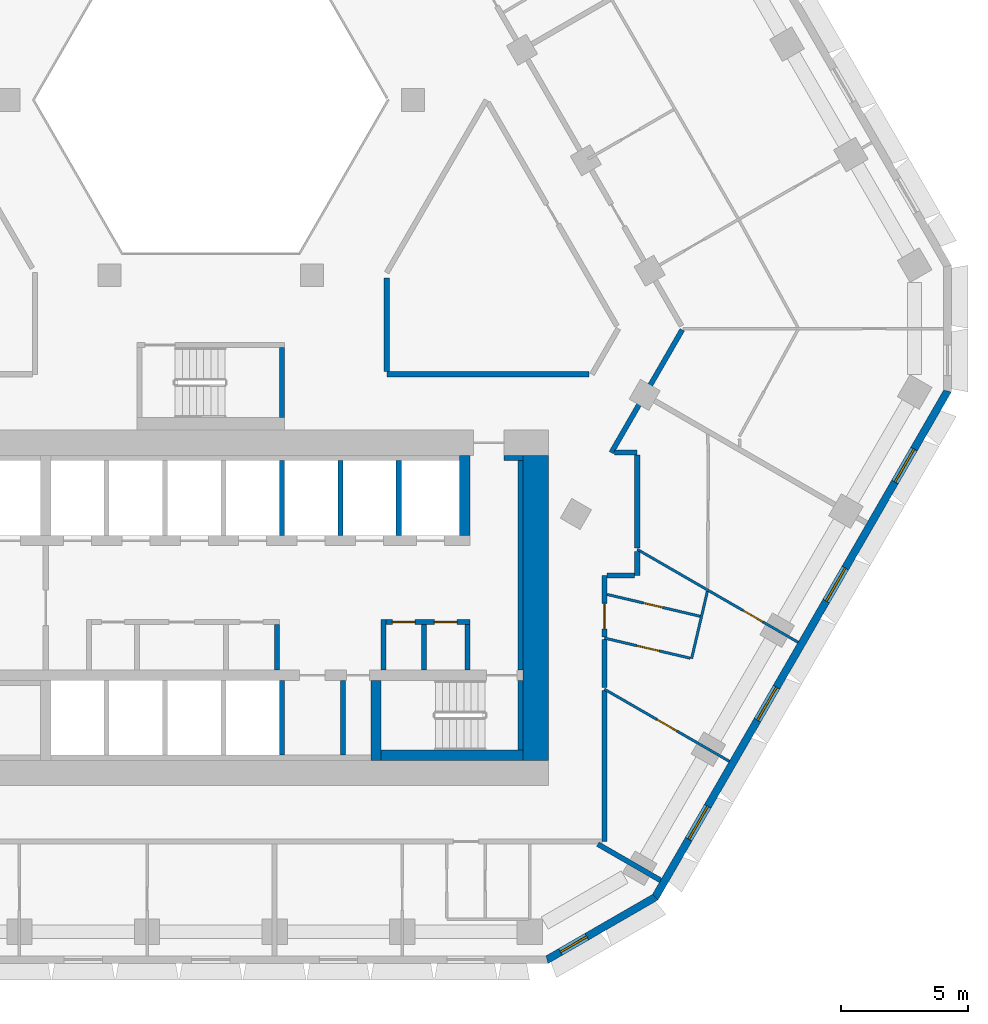
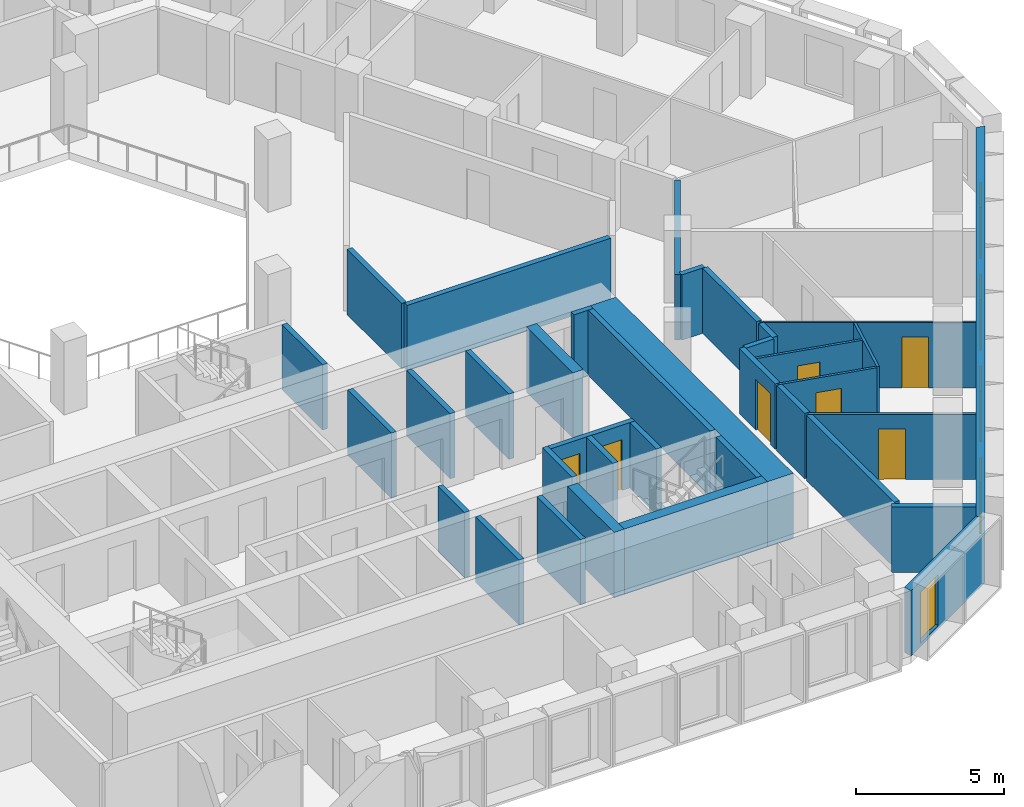
# One storey, part 6 of 16: 36 walls, 7 doors, 5 windows, 12 openings.
"""IFC4 building model written with IfcOpenShell, lengths in metres."""

import ifcopenshell
import ifcopenshell.guid

model = None  # the IFC model being written
_history = None  # IfcOwnerHistory: only IFC2X3 demands one
_inside = {}  # id of a spatial element -> (the spatial element, [elements in it])
_under = {}  # id of a project, library or spatial element -> (it, [spatial elements below it])
_declared = {}  # id of a project -> (the project, [libraries it declares])
_typed = {}  # id of a type object -> (the type object, [elements of that type])
_made_of = {}  # id of a material, layer set ... -> (it, [elements and type objects made of it])


def new_model(schema):
    """Start an empty IFC model of exactly this schema.

    Asked for "IFC4X3", IfcOpenShell would pick the latest addendum, in which some entities
    have other attributes; the version numbers below select the first issue.
    IFC2X3 requires an IfcOwnerHistory on every rooted entity: one is made here for all.
    """
    global model, _history
    if schema == "IFC4X3":
        model = ifcopenshell.file(schema_version=(4, 3, 0, 0))
    else:
        model = ifcopenshell.file(schema=schema)
    _inside.clear()
    _under.clear()
    _declared.clear()
    _typed.clear()
    _made_of.clear()
    _history = None
    if model.schema == "IFC2X3":
        org = make("IfcOrganization", Name="unknown")
        user = make(
            "IfcPersonAndOrganization",
            ThePerson=make("IfcPerson", FamilyName="unknown"),
            TheOrganization=org,
        )
        app = make(
            "IfcApplication",
            ApplicationDeveloper=org,
            Version="unknown",
            ApplicationFullName="unknown",
            ApplicationIdentifier="unknown",
        )
        _history = make(
            "IfcOwnerHistory",
            OwningUser=user,
            OwningApplication=app,
            ChangeAction="ADDED",
            CreationDate=0,
        )
    return model


def make(cls, **values):
    """One entity of the class cls with the attributes given. An attribute that is None is left unset."""
    return model.create_entity(
        cls, **{name: value for name, value in values.items() if value is not None}
    )


def rooted(cls, **values):
    """An entity with a GlobalId (a new one), such as an element, a storey or a relation."""
    return make(cls, GlobalId=ifcopenshell.guid.new(), OwnerHistory=_history, **values)


def si_unit(unit_type, name, prefix=None):
    """IfcSIUnit, for example si_unit("LENGTHUNIT", "METRE", prefix="MILLI")."""
    return make("IfcSIUnit", UnitType=unit_type, Prefix=prefix, Name=name)


def assignment(units):
    """IfcUnitAssignment: the units of a project."""
    return None if units is None else make("IfcUnitAssignment", Units=units)


def point(xyz):
    """IfcCartesianPoint."""
    return None if xyz is None else make("IfcCartesianPoint", Coordinates=xyz)


def direction(xyz):
    """IfcDirection."""
    return None if xyz is None else make("IfcDirection", DirectionRatios=xyz)


def frame(location, z_axis=None, x_axis=None):
    """IfcAxis2Placement3D, a coordinate frame: its origin and axes. An axis left out is left unset."""
    return make(
        "IfcAxis2Placement3D",
        Location=point(location),
        Axis=direction(z_axis),
        RefDirection=direction(x_axis),
    )


def frame_2d(location, x_axis=None):
    """IfcAxis2Placement2D, a coordinate frame in the plane: its origin and x axis."""
    return make(
        "IfcAxis2Placement2D", Location=point(location), RefDirection=direction(x_axis)
    )


def origin():
    """The frame at (0, 0, 0) with its axes left unset."""
    return frame((0.0, 0.0, 0.0))


def place(relative_to, where):
    """IfcLocalPlacement: puts the frame where relative to a parent placement (None: the world)."""
    return make(
        "IfcLocalPlacement", PlacementRelTo=relative_to, RelativePlacement=where
    )


def context(
    kind, dimensions, precision=None, world=None, true_north=None, identifier=None
):
    """IfcGeometricRepresentationContext, for example the 3D "Model" context."""
    return make(
        "IfcGeometricRepresentationContext",
        ContextIdentifier=identifier,
        ContextType=kind,
        CoordinateSpaceDimension=dimensions,
        Precision=precision,
        WorldCoordinateSystem=world,
        TrueNorth=true_north,
    )


def subcontext(parent, identifier, kind, view, scale=None):
    """IfcGeometricRepresentationSubContext, for example "Body" below "Model"."""
    return make(
        "IfcGeometricRepresentationSubContext",
        ContextIdentifier=identifier,
        ContextType=kind,
        ParentContext=parent,
        TargetScale=scale,
        TargetView=view,
    )


def project(units=None, contexts=None):
    """IfcProject with its units and contexts."""
    return rooted(
        "IfcProject",
        Name="project",
        RepresentationContexts=contexts,
        UnitsInContext=assignment(units),
    )


def spatial(cls, under=None, at=None, **own):
    """A site, building, storey or space (cls), placed at a placement, below another one or the project."""
    s = rooted(cls, ObjectPlacement=at, **own)
    if under is not None:
        _under.setdefault(under.id(), (under, []))[1].append(s)
    return s


def polyline(points):
    """IfcPolyline through the points."""
    return make("IfcPolyline", Points=[point(p) for p in points])


def profile(cls, at=None, kind="AREA", **sizes):
    """A parametric profile (cls). Its sizes go by their IFC names, for example OverallWidth=200.0."""
    return make(cls, ProfileType=kind, Position=at, **sizes)


def rectangle(**sizes):
    """IfcRectangleProfileDef."""
    return profile("IfcRectangleProfileDef", **sizes)


def outline(outer, holes=None, kind="AREA"):
    """IfcArbitraryClosedProfileDef: a profile drawn as a closed curve; with holes, ...WithVoids."""
    if holes is None:
        return make("IfcArbitraryClosedProfileDef", ProfileType=kind, OuterCurve=outer)
    return make(
        "IfcArbitraryProfileDefWithVoids",
        ProfileType=kind,
        OuterCurve=outer,
        InnerCurves=holes,
    )


def extrude(swept, where, along, depth):
    """IfcExtrudedAreaSolid: the profile swept, set in the frame where, extruded along a direction by depth."""
    return make(
        "IfcExtrudedAreaSolid",
        SweptArea=swept,
        Position=where,
        ExtrudedDirection=direction(along),
        Depth=depth,
    )


def shape(context_of_items, identifier, shape_type, items):
    """IfcShapeRepresentation: the items that make up one representation, for example the "Body"."""
    return make(
        "IfcShapeRepresentation",
        ContextOfItems=context_of_items,
        RepresentationIdentifier=identifier,
        RepresentationType=shape_type,
        Items=items,
    )


def material(Name=None, Category=None):
    """IfcMaterial."""
    return make("IfcMaterial", Name=Name, Category=Category)


def layer(
    of_material, thickness, ventilated=None, Name=None, Category=None, Priority=None
):
    """IfcMaterialLayer: one layer of a wall or slab, of a material (None: an air gap)."""
    return make(
        "IfcMaterialLayer",
        Material=of_material,
        LayerThickness=thickness,
        IsVentilated=ventilated,
        Name=Name,
        Category=Category,
        Priority=Priority,
    )


def layer_set(layers, Name=None):
    """IfcMaterialLayerSet."""
    return make("IfcMaterialLayerSet", MaterialLayers=layers, LayerSetName=Name)


def made_of(thing, what):
    """Note that an element or type object is made of a material, layer set ...; save() writes the relation."""
    if what is not None:
        _made_of.setdefault(what.id(), (what, []))[1].append(thing)
    return thing


def type_object(cls, material=None, **own):
    """A type object (cls), such as IfcWallType, which elements share."""
    return made_of(rooted(cls, **own), material)


def element(
    cls,
    number,
    at=None,
    inside=None,
    cuts=None,
    type_object=None,
    material=None,
    context=None,
    identifier="Body",
    shape_type=None,
    held_by="IfcProductDefinitionShape",
    body=None,
    shapes=None,
    **own,
):
    """One element of the class cls, such as IfcWall. Its Tag is "e" and its number.

    at: its placement. inside: the storey or other place that contains it. cuts: it is an
    opening in that element (IfcRelVoidsElement). A single representation is given by context,
    identifier, shape_type and body (its items); several are given by shapes. held_by: the class
    of the entity that holds the representations. save() writes the other relations.
    """
    e = rooted(cls, Tag="e%d" % number, ObjectPlacement=at, **own)
    if body is not None:
        shapes = [shape(context, identifier, shape_type, body)]
    if shapes is not None:
        e.Representation = make(held_by, Representations=shapes)
    if inside is not None:
        _inside.setdefault(inside.id(), (inside, []))[1].append(e)
    if cuts is not None:
        rooted(
            "IfcRelVoidsElement", RelatingBuildingElement=cuts, RelatedOpeningElement=e
        )
    if type_object is not None:
        _typed.setdefault(type_object.id(), (type_object, []))[1].append(e)
    return made_of(e, material)


def fill(opening, filler):
    """IfcRelFillsElement: the door or window that sits in an opening."""
    return rooted(
        "IfcRelFillsElement",
        RelatingOpeningElement=opening,
        RelatedBuildingElement=filler,
    )


def aggregate(whole, parts):
    """IfcRelAggregates: a whole, such as a stair, and the parts it consists of."""
    return rooted("IfcRelAggregates", RelatingObject=whole, RelatedObjects=parts)


def save(model, path):
    """Write the relations noted so far, then the file.

    IfcRelAggregates (storeys below a building ...), IfcRelContainedInSpatialStructure (elements
    in a storey), IfcRelDefinesByType, IfcRelAssociatesMaterial and IfcRelDeclares: one each for
    every whole, place, type object, material and project.
    """
    for whole, parts in _under.values():
        aggregate(whole, parts)
    for where, things in _inside.values():
        rooted(
            "IfcRelContainedInSpatialStructure",
            RelatedElements=things,
            RelatingStructure=where,
        )
    for kind, things in _typed.values():
        rooted("IfcRelDefinesByType", RelatedObjects=things, RelatingType=kind)
    for what, things in _made_of.values():
        rooted("IfcRelAssociatesMaterial", RelatedObjects=things, RelatingMaterial=what)
    for by, libraries in _declared.values():
        rooted("IfcRelDeclares", RelatingContext=by, RelatedDefinitions=libraries)
    model.write(path)


model = new_model("IFC4")

# Units and contexts
model_context = context("Model", 3, precision=1e-05, world=origin(), true_north=direction((0.0, 1.0)))
body_context = subcontext(model_context, "Body", "Model", "MODEL_VIEW")
ifc_project = project(units=[si_unit("LENGTHUNIT", "METRE"), si_unit("AREAUNIT", "SQUARE_METRE"), si_unit("VOLUMEUNIT", "CUBIC_METRE"), si_unit("PLANEANGLEUNIT", "RADIAN"), si_unit("MASSUNIT", "GRAM", prefix="KILO")], contexts=[model_context])

# Site, building, storey
site_placement = place(None, origin())
site = spatial("IfcSite", under=ifc_project, at=site_placement, CompositionType="ELEMENT")
building_placement = place(site_placement, origin())
building = spatial("IfcBuilding", under=site, at=building_placement, Name="Beryl Residences", CompositionType="ELEMENT")
storey_placement = place(building_placement, frame((0.0, 0.0, 90.0)))
storey = spatial("IfcBuildingStorey", under=building, at=storey_placement, Name="L27", CompositionType="ELEMENT", Elevation=90.0)

# Wall, opening, window
ifc_material_1 = material(Name="Composite metal panel with mineral wool insulation")
ifc_layer_1 = layer(ifc_material_1, 0.300048828125)
ifc_layer_set_1 = layer_set([ifc_layer_1], Name="ES1 pale metal composite panel wall 300 mm")
wall_type_1 = type_object("IfcWallType", Name="ES1 pale metal composite panel wall 300 mm", PredefinedType="SOLIDWALL", material=ifc_layer_set_1)
wall_1_placement = place(storey_placement, frame((13.2041015625, -25.8701171875, 0.0), z_axis=(0.0, 0.0, 1.0), x_axis=(0.866010750942, 0.50002537861, 0.0)))
wall_1 = element("IfcWall", 1, at=wall_1_placement, inside=storey, type_object=wall_type_1, Name="ES1 external wall L27 S-SE", PredefinedType="SOLIDWALL", context=body_context, shape_type="SweptSolid", body=[
    extrude(outline(polyline([(0.0, -0.14990234375), (4.999755859375, -0.14990234375), (4.91943359375, 0.14990234375), (0.080322265625, 0.14990234375), (0.0, -0.14990234375)])), origin(), (0.0, 0.0, 1.0), 2.699951171875),
])
opening_1_placement = place(wall_1_placement, frame((0.64990234375, 0.0, 0.14990234375)))
opening_1 = element("IfcOpeningElement", 2, at=opening_1_placement, cuts=wall_1, Name="Opening W2", PredefinedType="OPENING", context=body_context, shape_type="SweptSolid", body=[
    extrude(rectangle(XDim=1.199951171875, YDim=2.10009765625, at=frame_2d((0.60009765625, 1.050048828125))), frame((0.0, 0.159912109375, 0.0), z_axis=(0.0, -1.0, 0.0), x_axis=(1.0, 0.0, 0.0)), (0.0, 0.0, 1.0), 0.320068359375),
])
ifc_material_2 = material(Name="Aluminium and clear glass", Category="aluminium")
window_type_1 = type_object("IfcWindowType", Name="W2 chamfer window 1200 x 2100 mm", PartitioningType="SINGLE_PANEL", PredefinedType="WINDOW", material=ifc_material_2)
window_1_placement = place(opening_1_placement, origin())
window_1 = element("IfcWindow", 3, at=window_1_placement, inside=storey, type_object=window_type_1, Name="W2 window L27 S-SE 1", OverallHeight=2.10009765625, OverallWidth=1.199951171875, PartitioningType="SINGLE_PANEL", PredefinedType="WINDOW", context=body_context, shape_type="SweptSolid", body=[
    extrude(rectangle(XDim=1.199951171875, YDim=2.10009765625, at=frame_2d((0.60009765625, 1.050048828125))), frame((0.0, 0.030029296875, 0.0), z_axis=(0.0, -1.0, 0.0), x_axis=(1.0, 0.0, 0.0)), (0.0, 0.0, 1.0), 0.06005859375),
])
fill(opening_1, window_1)

# Wall, openings, windows
wall_2_placement = place(storey_placement, frame((17.47900390625, -23.425048828125, 0.0), z_axis=(0.0, 0.0, 1.0), x_axis=(0.500035407905, 0.866004960056, 0.0)))
wall_2 = element("IfcWall", 4, at=wall_2_placement, inside=storey, type_object=wall_type_1, Name="ES1 external wall L27 SE", PredefinedType="SOLIDWALL", context=body_context, shape_type="SweptSolid", body=[
    extrude(outline(polyline([(0.0, -0.14990234375), (23.094482421875, -0.14990234375), (23.01416015625, 0.14990234375), (0.080322265625, 0.14990234375), (0.0, -0.14990234375)])), origin(), (0.0, 0.0, 1.0), 2.699951171875),
])
opening_2_placement = place(wall_2_placement, frame((2.677001953125, 0.0, 0.14990234375)))
opening_2 = element("IfcOpeningElement", 5, at=opening_2_placement, cuts=wall_2, Name="Opening W1", PredefinedType="OPENING", context=body_context, shape_type="SweptSolid", body=[
    extrude(rectangle(XDim=1.5, YDim=2.10009765625, at=frame_2d((0.75, 1.050048828125))), frame((0.0, 0.159912109375, 0.0), z_axis=(0.0, -1.0, 0.0), x_axis=(1.0, 0.0, 0.0)), (0.0, 0.0, 1.0), 0.320068359375),
])
opening_3_placement = place(wall_2_placement, frame((8.091064453125, 0.0, 0.14990234375)))
opening_3 = element("IfcOpeningElement", 6, at=opening_3_placement, cuts=wall_2, Name="Opening W1", PredefinedType="OPENING", context=body_context, shape_type="SweptSolid", body=[
    extrude(rectangle(XDim=1.5, YDim=2.10009765625, at=frame_2d((0.75, 1.050048828125))), frame((0.0, 0.159912109375, 0.0), z_axis=(0.0, -1.0, 0.0), x_axis=(1.0, 0.0, 0.0)), (0.0, 0.0, 1.0), 0.320068359375),
])
opening_4_placement = place(wall_2_placement, frame((13.50390625, 0.0, 0.14990234375)))
opening_4 = element("IfcOpeningElement", 7, at=opening_4_placement, cuts=wall_2, Name="Opening W1", PredefinedType="OPENING", context=body_context, shape_type="SweptSolid", body=[
    extrude(rectangle(XDim=1.5, YDim=2.10009765625, at=frame_2d((0.75, 1.050048828125))), frame((0.0, 0.159912109375, 0.0), z_axis=(0.0, -1.0, 0.0), x_axis=(1.0, 0.0, 0.0)), (0.0, 0.0, 1.0), 0.320068359375),
])
opening_5_placement = place(wall_2_placement, frame((18.9169921875, 0.0, 0.14990234375)))
opening_5 = element("IfcOpeningElement", 8, at=opening_5_placement, cuts=wall_2, Name="Opening W1", PredefinedType="OPENING", context=body_context, shape_type="SweptSolid", body=[
    extrude(rectangle(XDim=1.5, YDim=2.10009765625, at=frame_2d((0.75, 1.050048828125))), frame((0.0, 0.159912109375, 0.0), z_axis=(0.0, -1.0, 0.0), x_axis=(1.0, 0.0, 0.0)), (0.0, 0.0, 1.0), 0.320068359375),
])
ifc_material_3 = material(Name="Aluminium and clear glass", Category="aluminium")
window_type_2 = type_object("IfcWindowType", Name="W1 cell window 1500 x 2100 mm", PartitioningType="SINGLE_PANEL", PredefinedType="WINDOW", material=ifc_material_3)
window_2_placement = place(opening_2_placement, origin())
window_2 = element("IfcWindow", 9, at=window_2_placement, inside=storey, type_object=window_type_2, Name="W1 window L27 SE 2", OverallHeight=2.10009765625, OverallWidth=1.5, PartitioningType="SINGLE_PANEL", PredefinedType="WINDOW", context=body_context, shape_type="SweptSolid", body=[
    extrude(rectangle(XDim=1.5, YDim=2.10009765625, at=frame_2d((0.75, 1.050048828125))), frame((0.0, 0.030029296875, 0.0), z_axis=(0.0, -1.0, 0.0), x_axis=(1.0, 0.0, 0.0)), (0.0, 0.0, 1.0), 0.06005859375),
])
fill(opening_2, window_2)
window_3_placement = place(opening_3_placement, origin())
window_3 = element("IfcWindow", 10, at=window_3_placement, inside=storey, type_object=window_type_2, Name="W1 window L27 SE 4", OverallHeight=2.10009765625, OverallWidth=1.5, PartitioningType="SINGLE_PANEL", PredefinedType="WINDOW", context=body_context, shape_type="SweptSolid", body=[
    extrude(rectangle(XDim=1.5, YDim=2.10009765625, at=frame_2d((0.75, 1.050048828125))), frame((0.0, 0.030029296875, 0.0), z_axis=(0.0, -1.0, 0.0), x_axis=(1.0, 0.0, 0.0)), (0.0, 0.0, 1.0), 0.06005859375),
])
fill(opening_3, window_3)
window_4_placement = place(opening_4_placement, origin())
window_4 = element("IfcWindow", 11, at=window_4_placement, inside=storey, type_object=window_type_2, Name="W1 window L27 SE 6", OverallHeight=2.10009765625, OverallWidth=1.5, PartitioningType="SINGLE_PANEL", PredefinedType="WINDOW", context=body_context, shape_type="SweptSolid", body=[
    extrude(rectangle(XDim=1.5, YDim=2.10009765625, at=frame_2d((0.75, 1.050048828125))), frame((0.0, 0.030029296875, 0.0), z_axis=(0.0, -1.0, 0.0), x_axis=(1.0, 0.0, 0.0)), (0.0, 0.0, 1.0), 0.06005859375),
])
fill(opening_4, window_4)
window_5_placement = place(opening_5_placement, origin())
window_5 = element("IfcWindow", 12, at=window_5_placement, inside=storey, type_object=window_type_2, Name="W1 window L27 SE 8", OverallHeight=2.10009765625, OverallWidth=1.5, PartitioningType="SINGLE_PANEL", PredefinedType="WINDOW", context=body_context, shape_type="SweptSolid", body=[
    extrude(rectangle(XDim=1.5, YDim=2.10009765625, at=frame_2d((0.75, 1.050048828125))), frame((0.0, 0.030029296875, 0.0), z_axis=(0.0, -1.0, 0.0), x_axis=(1.0, 0.0, 0.0)), (0.0, 0.0, 1.0), 0.06005859375),
])
fill(opening_5, window_5)

# Wall, opening, door
ifc_material_4 = material(Name="Gypsum board partition on steel studs", Category="steel")
ifc_layer_2 = layer(ifc_material_4, 0.10009765625)
ifc_layer_set_2 = layer_set([ifc_layer_2], Name="PT1 partition 100 mm gypsum board on steel studs")
wall_type_2 = type_object("IfcWallType", Name="PT1 partition 100 mm gypsum board on steel studs", PredefinedType="PARTITIONING", material=ifc_layer_set_2)
wall_3_placement = place(storey_placement, frame((15.60009765625, -11.468017578125, 0.0), z_axis=(0.0, 0.0, 1.0), x_axis=(0.973574036597, -0.228371616592, 0.0)))
wall_3 = element("IfcWall", 13, at=wall_3_placement, inside=storey, type_object=wall_type_2, Name="Wall PT1 L27 012", PredefinedType="PARTITIONING", context=body_context, shape_type="SweptSolid", body=[
    extrude(rectangle(XDim=3.7705078125, YDim=0.10009765625, at=frame_2d((1.88525390625, 0.0))), origin(), (0.0, 0.0, 1.0), 2.699951171875),
])
opening_6_placement = place(wall_3_placement, frame((1.458984375, 0.0, 0.0)))
opening_6 = element("IfcOpeningElement", 14, at=opening_6_placement, cuts=wall_3, Name="Opening D0911", PredefinedType="OPENING", context=body_context, shape_type="SweptSolid", body=[
    extrude(rectangle(XDim=0.800048828125, YDim=2.10009765625, at=frame_2d((0.39990234375, 1.050048828125))), frame((0.0, 0.06005859375, 0.0), z_axis=(0.0, -1.0, 0.0), x_axis=(1.0, 0.0, 0.0)), (0.0, 0.0, 1.0), 0.1201171875),
])
ifc_material_5 = material(Name="Timber door leaf", Category="wood")
door_type_1 = type_object("IfcDoorType", Name="D3 bathroom door 800 x 2100 mm", OperationType="SINGLE_SWING_LEFT", PredefinedType="DOOR", material=ifc_material_5)
door_1_placement = place(opening_6_placement, origin())
door_1 = element("IfcDoor", 15, at=door_1_placement, inside=storey, type_object=door_type_1, Name="Door D0911 L27 001", OperationType="SINGLE_SWING_LEFT", OverallHeight=2.10009765625, OverallWidth=0.800048828125, PredefinedType="DOOR", context=body_context, shape_type="SweptSolid", body=[
    extrude(rectangle(XDim=0.800048828125, YDim=2.10009765625, at=frame_2d((0.39990234375, 1.050048828125))), frame((0.0, 0.02490234375, 0.0), z_axis=(0.0, -1.0, 0.0), x_axis=(1.0, 0.0, 0.0)), (0.0, 0.0, 1.0), 0.050048828125),
])
fill(opening_6, door_1)

wall_4_placement = place(storey_placement, frame((15.5, -13.18701171875, 0.0), z_axis=(0.0, 0.0, 1.0), x_axis=(0.973612163993, -0.228209014119, 0.0)))
wall_4 = element("IfcWall", 16, at=wall_4_placement, inside=storey, type_object=wall_type_2, Name="Wall PT1 L27 013", PredefinedType="PARTITIONING", context=body_context, shape_type="SweptSolid", body=[
    extrude(rectangle(XDim=3.474853515625, YDim=0.10009765625, at=frame_2d((1.7373046875, 0.0))), origin(), (0.0, 0.0, 1.0), 2.699951171875),
])
opening_7_placement = place(wall_4_placement, frame((1.31298828125, 0.0, 0.0)))
opening_7 = element("IfcOpeningElement", 17, at=opening_7_placement, cuts=wall_4, Name="Opening D0912", PredefinedType="OPENING", context=body_context, shape_type="SweptSolid", body=[
    extrude(rectangle(XDim=0.89990234375, YDim=2.10009765625, at=frame_2d((0.449951171875, 1.050048828125))), frame((0.0, 0.06005859375, 0.0), z_axis=(0.0, -1.0, 0.0), x_axis=(1.0, 0.0, 0.0)), (0.0, 0.0, 1.0), 0.1201171875),
])
ifc_material_6 = material(Name="Timber door leaf", Category="wood")
door_type_2 = type_object("IfcDoorType", Name="D2 room door 900 x 2100 mm", OperationType="SINGLE_SWING_LEFT", PredefinedType="DOOR", material=ifc_material_6)
door_2_placement = place(opening_7_placement, origin())
door_2 = element("IfcDoor", 18, at=door_2_placement, inside=storey, type_object=door_type_2, Name="Door D0912 L27 001", OperationType="SINGLE_SWING_RIGHT", OverallHeight=2.10009765625, OverallWidth=0.89990234375, PredefinedType="DOOR", context=body_context, shape_type="SweptSolid", body=[
    extrude(rectangle(XDim=0.89990234375, YDim=2.10009765625, at=frame_2d((0.449951171875, 1.050048828125))), frame((0.0, 0.02490234375, 0.0), z_axis=(0.0, -1.0, 0.0), x_axis=(1.0, 0.0, 0.0)), (0.0, 0.0, 1.0), 0.050048828125),
])
fill(opening_7, door_2)

wall_5_placement = place(storey_placement, frame((15.5, -15.199951171875, 0.0), z_axis=(0.0, 0.0, 1.0), x_axis=(0.866035181374, -0.499983064336, 0.0)))
wall_5 = element("IfcWall", 19, at=wall_5_placement, inside=storey, type_object=wall_type_2, Name="Wall PT1 L27 017", PredefinedType="PARTITIONING", context=body_context, shape_type="SweptSolid", body=[
    extrude(rectangle(XDim=5.676513671875, YDim=0.10009765625, at=frame_2d((2.83837890625, 0.0))), origin(), (0.0, 0.0, 1.0), 2.699951171875),
])
opening_8_placement = place(wall_5_placement, frame((2.387939453125, 0.0, 0.0)))
opening_8 = element("IfcOpeningElement", 20, at=opening_8_placement, cuts=wall_5, Name="Opening D0913", PredefinedType="OPENING", context=body_context, shape_type="SweptSolid", body=[
    extrude(rectangle(XDim=0.89990234375, YDim=2.10009765625, at=frame_2d((0.449951171875, 1.050048828125))), frame((0.0, 0.06005859375, 0.0), z_axis=(0.0, -1.0, 0.0), x_axis=(1.0, 0.0, 0.0)), (0.0, 0.0, 1.0), 0.1201171875),
])
door_3_placement = place(opening_8_placement, origin())
door_3 = element("IfcDoor", 21, at=door_3_placement, inside=storey, type_object=door_type_2, Name="Door D0913 L27 001", OperationType="SINGLE_SWING_LEFT", OverallHeight=2.10009765625, OverallWidth=0.89990234375, PredefinedType="DOOR", context=body_context, shape_type="SweptSolid", body=[
    extrude(rectangle(XDim=0.89990234375, YDim=2.10009765625, at=frame_2d((0.449951171875, 1.050048828125))), frame((0.0, 0.02490234375, 0.0), z_axis=(0.0, -1.0, 0.0), x_axis=(1.0, 0.0, 0.0)), (0.0, 0.0, 1.0), 0.050048828125),
])
fill(opening_8, door_3)

wall_6_placement = place(storey_placement, frame((16.7919921875, -9.695068359375, 0.0), z_axis=(0.0, 0.0, 1.0), x_axis=(0.86603765469, -0.499978780208, 0.0)))
wall_6 = element("IfcWall", 22, at=wall_6_placement, inside=storey, type_object=wall_type_2, Name="Wall PT1 L27 020", PredefinedType="PARTITIONING", context=body_context, shape_type="SweptSolid", body=[
    extrude(rectangle(XDim=7.310302734375, YDim=0.10009765625, at=frame_2d((3.6552734375, 0.0))), origin(), (0.0, 0.0, 1.0), 2.699951171875),
])
opening_9_placement = place(wall_6_placement, frame((4.805908203125, 0.0, 0.0)))
opening_9 = element("IfcOpeningElement", 23, at=opening_9_placement, cuts=wall_6, Name="Opening D0914", PredefinedType="OPENING", context=body_context, shape_type="SweptSolid", body=[
    extrude(rectangle(XDim=0.89990234375, YDim=2.10009765625, at=frame_2d((0.449951171875, 1.050048828125))), frame((0.0, 0.06005859375, 0.0), z_axis=(0.0, -1.0, 0.0), x_axis=(1.0, 0.0, 0.0)), (0.0, 0.0, 1.0), 0.1201171875),
])
door_4_placement = place(opening_9_placement, origin())
door_4 = element("IfcDoor", 24, at=door_4_placement, inside=storey, type_object=door_type_2, Name="Door D0914 L27 001", OperationType="SINGLE_SWING_RIGHT", OverallHeight=2.10009765625, OverallWidth=0.89990234375, PredefinedType="DOOR", context=body_context, shape_type="SweptSolid", body=[
    extrude(rectangle(XDim=0.89990234375, YDim=2.10009765625, at=frame_2d((0.449951171875, 1.050048828125))), frame((0.0, 0.02490234375, 0.0), z_axis=(0.0, -1.0, 0.0), x_axis=(1.0, 0.0, 0.0)), (0.0, 0.0, 1.0), 0.050048828125),
])
fill(opening_9, door_4)

# Walls
wall_7_placement = place(storey_placement, frame((18.93310546875, -13.990966796875, 0.0), z_axis=(0.0, 0.0, 1.0), x_axis=(0.228172687949, 0.97362067792, 0.0)))
element("IfcWall", 25, at=wall_7_placement, inside=storey, type_object=wall_type_2, Name="Wall PT1 L27 042", PredefinedType="PARTITIONING", context=body_context, shape_type="SweptSolid", body=[
    extrude(rectangle(XDim=2.716796875, YDim=0.10009765625, at=frame_2d((1.3583984375, 0.0))), origin(), (0.0, 0.0, 1.0), 2.699951171875),
])
ifc_material_7 = material(Name="Concrete masonry", Category="masonry")
ifc_layer_3 = layer(ifc_material_7, 0.199951171875)
ifc_layer_set_3 = layer_set([ifc_layer_3], Name="PT13 lobby wall 200 mm")
wall_type_3 = type_object("IfcWallType", Name="PT13 lobby wall 200 mm", PredefinedType="PARTITIONING", material=ifc_layer_set_3)
wall_8_placement = place(storey_placement, frame((2.60009765625, -14.449951171875, 0.0), z_axis=(0.0, 0.0, 1.0), x_axis=(0.0, 1.0, 0.0)))
element("IfcWall", 26, at=wall_8_placement, inside=storey, type_object=wall_type_3, Name="Lobby wall 24", PredefinedType="PARTITIONING", context=body_context, shape_type="SweptSolid", body=[
    extrude(rectangle(XDim=1.800048828125, YDim=0.199951171875, at=frame_2d((0.89990234375, 0.0))), origin(), (0.0, 0.0, 1.0), 2.699951171875),
])
wall_9_placement = place(storey_placement, frame((6.800048828125, -14.449951171875, 0.0), z_axis=(0.0, 0.0, 1.0), x_axis=(0.0, 1.0, 0.0)))
element("IfcWall", 27, at=wall_9_placement, inside=storey, type_object=wall_type_3, Name="Lobby wall 30", PredefinedType="PARTITIONING", context=body_context, shape_type="SweptSolid", body=[
    extrude(rectangle(XDim=2.0, YDim=0.199951171875, at=frame_2d((1.0, 0.0))), origin(), (0.0, 0.0, 1.0), 2.699951171875),
])

# Wall, openings, doors
wall_10_placement = place(storey_placement, frame((6.89990234375, -12.550048828125, 0.0), z_axis=(0.0, 0.0, 1.0), x_axis=(1.0, 0.0, 0.0)))
wall_10 = element("IfcWall", 28, at=wall_10_placement, inside=storey, type_object=wall_type_3, Name="Lobby wall 31", PredefinedType="PARTITIONING", context=body_context, shape_type="SweptSolid", body=[
    extrude(rectangle(XDim=3.300048828125, YDim=0.199951171875, at=frame_2d((1.64990234375, 0.0))), origin(), (0.0, 0.0, 1.0), 2.699951171875),
])
opening_10_placement = place(wall_10_placement, frame((1.14990234375, 0.0, 0.0), z_axis=(0.0, 0.0, 1.0), x_axis=(-1.0, 0.0, 0.0)))
opening_10 = element("IfcOpeningElement", 29, at=opening_10_placement, cuts=wall_10, Name="Opening CD-D-A4-900", PredefinedType="OPENING", context=body_context, shape_type="SweptSolid", body=[
    extrude(rectangle(XDim=0.89990234375, YDim=2.10009765625, at=frame_2d((0.449951171875, 1.050048828125))), frame((0.0, 0.10986328125, 0.0), z_axis=(0.0, -1.0, 0.0), x_axis=(1.0, 0.0, 0.0)), (0.0, 0.0, 1.0), 0.219970703125),
])
opening_11_placement = place(wall_10_placement, frame((2.7998046875, 0.0, 0.0), z_axis=(0.0, 0.0, 1.0), x_axis=(-1.0, 0.0, 0.0)))
opening_11 = element("IfcOpeningElement", 30, at=opening_11_placement, cuts=wall_10, Name="Opening CD-D-A5-900", PredefinedType="OPENING", context=body_context, shape_type="SweptSolid", body=[
    extrude(rectangle(XDim=0.89990234375, YDim=2.10009765625, at=frame_2d((0.449951171875, 1.050048828125))), frame((0.0, 0.10986328125, 0.0), z_axis=(0.0, -1.0, 0.0), x_axis=(1.0, 0.0, 0.0)), (0.0, 0.0, 1.0), 0.219970703125),
])
ifc_material_8 = material(Name="Steel door leaf in steel frame", Category="steel")
door_type_3 = type_object("IfcDoorType", Name="D6 service room door 900 x 2100 mm", OperationType="SINGLE_SWING_LEFT", PredefinedType="DOOR", material=ifc_material_8)
door_5_placement = place(opening_10_placement, origin())
door_5 = element("IfcDoor", 31, at=door_5_placement, inside=storey, type_object=door_type_3, Name="Door CD-D-A4-900 L27 001", OperationType="SINGLE_SWING_LEFT", OverallHeight=2.10009765625, OverallWidth=0.89990234375, PredefinedType="DOOR", context=body_context, shape_type="SweptSolid", body=[
    extrude(rectangle(XDim=0.89990234375, YDim=2.10009765625, at=frame_2d((0.449951171875, 1.050048828125))), frame((0.0, 0.02490234375, 0.0), z_axis=(0.0, -1.0, 0.0), x_axis=(1.0, 0.0, 0.0)), (0.0, 0.0, 1.0), 0.050048828125),
])
fill(opening_10, door_5)
door_6_placement = place(opening_11_placement, origin())
door_6 = element("IfcDoor", 32, at=door_6_placement, inside=storey, type_object=door_type_3, Name="Door CD-D-A5-900 L27 001", OperationType="SINGLE_SWING_RIGHT", OverallHeight=2.10009765625, OverallWidth=0.89990234375, PredefinedType="DOOR", context=body_context, shape_type="SweptSolid", body=[
    extrude(rectangle(XDim=0.89990234375, YDim=2.10009765625, at=frame_2d((0.449951171875, 1.050048828125))), frame((0.0, 0.02490234375, 0.0), z_axis=(0.0, -1.0, 0.0), x_axis=(1.0, 0.0, 0.0)), (0.0, 0.0, 1.0), 0.050048828125),
])
fill(opening_11, door_6)

# Walls
wall_11_placement = place(storey_placement, frame((10.10009765625, -14.449951171875, 0.0), z_axis=(0.0, 0.0, 1.0), x_axis=(0.0, 1.0, 0.0)))
element("IfcWall", 33, at=wall_11_placement, inside=storey, type_object=wall_type_3, Name="Lobby wall 34", PredefinedType="PARTITIONING", context=body_context, shape_type="SweptSolid", body=[
    extrude(rectangle(XDim=1.800048828125, YDim=0.199951171875, at=frame_2d((0.89990234375, 0.0))), origin(), (0.0, 0.0, 1.0), 2.699951171875),
])
wall_12_placement = place(storey_placement, frame((11.550048828125, -6.10009765625, 0.0), z_axis=(0.0, 0.0, 1.0), x_axis=(1.0, 0.0, 0.0)))
element("IfcWall", 34, at=wall_12_placement, inside=storey, type_object=wall_type_3, Name="Lobby wall 35", PredefinedType="PARTITIONING", context=body_context, shape_type="SweptSolid", body=[
    extrude(rectangle(XDim=0.75, YDim=0.199951171875, at=frame_2d((0.375, 0.0))), origin(), (0.0, 0.0, 1.0), 2.699951171875),
])
wall_13_placement = place(storey_placement, frame((12.199951171875, -14.449951171875, 0.0), z_axis=(0.0, 0.0, 1.0), x_axis=(0.0, 1.0, 0.0)))
element("IfcWall", 35, at=wall_13_placement, inside=storey, type_object=wall_type_3, Name="Lobby wall 37", PredefinedType="PARTITIONING", context=body_context, shape_type="SweptSolid", body=[
    extrude(rectangle(XDim=8.25, YDim=0.199951171875, at=frame_2d((4.125, 0.0))), origin(), (0.0, 0.0, 1.0), 2.699951171875),
])
ifc_material_9 = material(Name="Acoustic double stud gypsum board wall")
ifc_layer_4 = layer(ifc_material_9, 0.199951171875)
ifc_layer_set_4 = layer_set([ifc_layer_4], Name="PT3 party wall 200 mm acoustic double stud")
wall_type_4 = type_object("IfcWallType", Name="PT3 party wall 200 mm acoustic double stud", PredefinedType="PARTITIONING", material=ifc_layer_set_4)
wall_14_placement = place(storey_placement, frame((15.239990234375, -21.300048828125, 0.0), z_axis=(0.0, 0.0, 1.0), x_axis=(0.866090043625, -0.499888023795, 0.0)))
element("IfcWall", 36, at=wall_14_placement, inside=storey, type_object=wall_type_4, Name="Wall PT3 L27 003", PredefinedType="PARTITIONING", context=body_context, shape_type="SweptSolid", body=[
    extrude(rectangle(XDim=2.850830078125, YDim=0.199951171875, at=frame_2d((1.42529296875, 0.0))), origin(), (0.0, 0.0, 1.0), 2.699951171875),
])
ifc_material_10 = material(Name="Double stud gypsum board wall")
ifc_layer_5 = layer(ifc_material_10, 0.199951171875)
ifc_layer_set_5 = layer_set([ifc_layer_5], Name="PT4 corridor wall 200 mm double stud")
wall_type_5 = type_object("IfcWallType", Name="PT4 corridor wall 200 mm double stud", PredefinedType="PARTITIONING", material=ifc_layer_set_5)
wall_15_placement = place(storey_placement, frame((6.927978515625, 1.0, 0.0), z_axis=(0.0, 0.0, 1.0), x_axis=(0.0, -1.0, 0.0)))
element("IfcWall", 37, at=wall_15_placement, inside=storey, type_object=wall_type_5, Name="Wall PT4 L27 009", PredefinedType="PARTITIONING", context=body_context, shape_type="SweptSolid", body=[
    extrude(rectangle(XDim=3.698974609375, YDim=0.199951171875, at=frame_2d((1.849609375, 0.0))), origin(), (0.0, 0.0, 1.0), 2.699951171875),
])
wall_16_placement = place(storey_placement, frame((15.5, -13.239013671875, 0.0), z_axis=(0.0, 0.0, 1.0), x_axis=(0.0, -1.0, 0.0)))
element("IfcWall", 38, at=wall_16_placement, inside=storey, type_object=wall_type_5, Name="Wall PT4 L27 010", PredefinedType="PARTITIONING", context=body_context, shape_type="SweptSolid", body=[
    extrude(rectangle(XDim=1.903076171875, YDim=0.199951171875, at=frame_2d((0.95166015625, 0.0))), origin(), (0.0, 0.0, 1.0), 2.699951171875),
])
wall_17_placement = place(storey_placement, frame((16.791015625, -5.986083984375, 0.0), z_axis=(0.0, 0.0, 1.0), x_axis=(0.0, -1.0, 0.0)))
element("IfcWall", 39, at=wall_17_placement, inside=storey, type_object=wall_type_5, Name="Wall PT4 L27 011", PredefinedType="PARTITIONING", context=body_context, shape_type="SweptSolid", body=[
    extrude(rectangle(XDim=3.64990234375, YDim=0.199951171875, at=frame_2d((1.824951171875, 0.0))), origin(), (0.0, 0.0, 1.0), 2.699951171875),
])
wall_18_placement = place(storey_placement, frame((15.886962890625, -5.885009765625, 0.0), z_axis=(0.0, 0.0, 1.0), x_axis=(1.0, 0.0, 0.0)))
element("IfcWall", 40, at=wall_18_placement, inside=storey, type_object=wall_type_5, Name="Wall PT4 L27 012", PredefinedType="PARTITIONING", context=body_context, shape_type="SweptSolid", body=[
    extrude(rectangle(XDim=0.903076171875, YDim=0.199951171875, at=frame_2d((0.45166015625, 0.0))), origin(), (0.0, 0.0, 1.0), 2.699951171875),
])
wall_19_placement = place(storey_placement, frame((15.60107421875, -10.715087890625, 0.0), z_axis=(0.0, 0.0, 1.0), x_axis=(1.0, 0.0, 0.0)))
element("IfcWall", 41, at=wall_19_placement, inside=storey, type_object=wall_type_5, Name="Wall PT4 L27 014", PredefinedType="PARTITIONING", context=body_context, shape_type="SweptSolid", body=[
    extrude(rectangle(XDim=1.08984375, YDim=0.199951171875, at=frame_2d((0.544921875, 0.0))), origin(), (0.0, 0.0, 1.0), 2.699951171875),
])
wall_20_placement = place(storey_placement, frame((6.928955078125, -2.800048828125, 0.0), z_axis=(0.0, 0.0, 1.0), x_axis=(1.0, 0.0, 0.0)))
element("IfcWall", 42, at=wall_20_placement, inside=storey, type_object=wall_type_5, Name="Wall PT4 L27 018", PredefinedType="PARTITIONING", context=body_context, shape_type="SweptSolid", body=[
    extrude(rectangle(XDim=7.966064453125, YDim=0.199951171875, at=frame_2d((3.98291015625, 0.0))), origin(), (0.0, 0.0, 1.0), 2.699951171875),
])
wall_21_placement = place(storey_placement, frame((15.77099609375, -5.884033203125, 0.0), z_axis=(0.0, 0.0, 1.0), x_axis=(0.499939494019, 0.866060334111, 0.0)))
element("IfcWall", 43, at=wall_21_placement, inside=storey, type_object=wall_type_5, Name="Wall PT4 L27 025", PredefinedType="PARTITIONING", context=body_context, shape_type="SweptSolid", body=[
    extrude(rectangle(XDim=5.582763671875, YDim=0.199951171875, at=frame_2d((2.79150390625, 0.0))), origin(), (0.0, 0.0, 1.0), 2.699951171875),
])
wall_22_placement = place(storey_placement, frame((15.5, -21.198974609375, 0.0), z_axis=(0.0, 0.0, 1.0), x_axis=(0.0, 1.0, 0.0)))
element("IfcWall", 44, at=wall_22_placement, inside=storey, type_object=wall_type_5, Name="Wall PT4 L27 029", PredefinedType="PARTITIONING", context=body_context, shape_type="SweptSolid", body=[
    extrude(rectangle(XDim=5.94189453125, YDim=0.199951171875, at=frame_2d((2.970947265625, 0.0))), origin(), (0.0, 0.0, 1.0), 2.699951171875),
])

# Wall, opening, door
wall_23_placement = place(storey_placement, frame((15.5, -13.135986328125, 0.0), z_axis=(0.0, 0.0, 1.0), x_axis=(0.0, 1.0, 0.0)))
wall_23 = element("IfcWall", 45, at=wall_23_placement, inside=storey, type_object=wall_type_5, Name="Wall PT4 L27 030", PredefinedType="PARTITIONING", context=body_context, shape_type="SweptSolid", body=[
    extrude(rectangle(XDim=2.419921875, YDim=0.199951171875, at=frame_2d((1.2099609375, 0.0))), origin(), (0.0, 0.0, 1.0), 2.699951171875),
])
opening_12_placement = place(wall_23_placement, frame((0.31298828125, 0.0, 0.0)))
opening_12 = element("IfcOpeningElement", 46, at=opening_12_placement, cuts=wall_23, Name="Opening D0910", PredefinedType="OPENING", context=body_context, shape_type="SweptSolid", body=[
    extrude(rectangle(XDim=1.0, YDim=2.10009765625, at=frame_2d((0.5, 1.050048828125))), frame((0.0, 0.10986328125, 0.0), z_axis=(0.0, -1.0, 0.0), x_axis=(1.0, 0.0, 0.0)), (0.0, 0.0, 1.0), 0.219970703125),
])
ifc_material_11 = material(Name="Timber door leaf", Category="wood")
door_type_4 = type_object("IfcDoorType", Name="D1 flat entrance door 1000 x 2100 mm", OperationType="SINGLE_SWING_LEFT", PredefinedType="DOOR", material=ifc_material_11)
door_7_placement = place(opening_12_placement, origin())
door_7 = element("IfcDoor", 47, at=door_7_placement, inside=storey, type_object=door_type_4, Name="Door D0910 L27 001", OperationType="SINGLE_SWING_RIGHT", OverallHeight=2.10009765625, OverallWidth=1.0, PredefinedType="DOOR", context=body_context, shape_type="SweptSolid", body=[
    extrude(rectangle(XDim=1.0, YDim=2.10009765625, at=frame_2d((0.5, 1.050048828125))), frame((0.0, 0.02490234375, 0.0), z_axis=(0.0, -1.0, 0.0), x_axis=(1.0, 0.0, 0.0)), (0.0, 0.0, 1.0), 0.050048828125),
])
fill(opening_12, door_7)

# Walls
wall_24_placement = place(storey_placement, frame((16.791015625, -10.715087890625, 0.0), z_axis=(0.0, 0.0, 1.0), x_axis=(0.0, 1.0, 0.0)))
element("IfcWall", 48, at=wall_24_placement, inside=storey, type_object=wall_type_5, Name="Wall PT4 L27 031", PredefinedType="PARTITIONING", context=body_context, shape_type="SweptSolid", body=[
    extrude(rectangle(XDim=0.943115234375, YDim=0.199951171875, at=frame_2d((0.4716796875, 0.0))), origin(), (0.0, 0.0, 1.0), 2.699951171875),
])
ifc_material_12 = material(Name="Concrete C40/50", Category="concrete")
ifc_layer_6 = layer(ifc_material_12, 0.199951171875)
ifc_layer_set_6 = layer_set([ifc_layer_6], Name="PT5 stair enclosure wall 200 mm reinforced concrete C40/50")
wall_type_6 = type_object("IfcWallType", Name="PT5 stair enclosure wall 200 mm reinforced concrete C40/50", PredefinedType="SOLIDWALL", material=ifc_layer_set_6)
for number, where, z_axis, x_axis, name in (
    (49, (2.800048828125, -4.5, 0.0), (0.0, 0.0, 1.0), (0.0, 1.0, 0.0), "Wall PT5 L27 003"),
    (50, (12.199951171875, -17.60009765625, 0.0), (0.0, 0.0, 1.0), (0.0, 1.0, 0.0), "Stair wall 36"),
):
    element("IfcWall", number, at=place(storey_placement, frame(where, z_axis=z_axis, x_axis=x_axis)), inside=storey, type_object=wall_type_6, Name=name, PredefinedType="SOLIDWALL", context=body_context, shape_type="SweptSolid", body=[
        extrude(rectangle(XDim=2.75, YDim=0.199951171875, at=frame_2d((1.375, 0.0))), origin(), (0.0, 0.0, 1.0), 2.699951171875),
    ])
ifc_material_13 = material(Name="Concrete C40/50", Category="concrete")
ifc_layer_7 = layer(ifc_material_13, 0.39990234375)
ifc_layer_set_7 = layer_set([ifc_layer_7], Name="PT5-400 stair enclosure wall 400 mm")
wall_type_7 = type_object("IfcWallType", Name="PT5-400 stair enclosure wall 400 mm", PredefinedType="SOLIDWALL", material=ifc_layer_set_7)
wall_25_placement = place(storey_placement, frame((6.699951171875, -17.800048828125, 0.0), z_axis=(0.0, 0.0, 1.0), x_axis=(1.0, 0.0, 0.0)))
element("IfcWall", 51, at=wall_25_placement, inside=storey, type_object=wall_type_7, Name="Stair wall 29", PredefinedType="SOLIDWALL", context=body_context, shape_type="SweptSolid", body=[
    extrude(rectangle(XDim=5.60009765625, YDim=0.39990234375, at=frame_2d((2.800048828125, 0.0))), origin(), (0.0, 0.0, 1.0), 2.699951171875),
])
ifc_material_14 = material(Name="Concrete C40/50", Category="concrete")
ifc_layer_8 = layer(ifc_material_14, 0.199951171875)
ifc_layer_set_8 = layer_set([ifc_layer_8], Name="PT6 lift shaft wall 200 mm reinforced concrete C40/50")
wall_type_8 = type_object("IfcWallType", Name="PT6 lift shaft wall 200 mm reinforced concrete C40/50", PredefinedType="SOLIDWALL", material=ifc_layer_set_8)
for number, where, z_axis, x_axis, name in (
    (52, (2.800048828125, -17.800048828125, 0.0), (0.0, 0.0, 1.0), (0.0, 1.0, 0.0), "Lift shaft wall 25"),
    (53, (2.800048828125, -9.14990234375, 0.0), (0.0, 0.0, 1.0), (0.0, 1.0, 0.0), "Lift shaft wall 26"),
    (54, (5.10009765625, -9.14990234375, 0.0), (0.0, 0.0, 1.0), (0.0, 1.0, 0.0), "Lift shaft wall 27"),
    (55, (7.39990234375, -9.14990234375, 0.0), (0.0, 0.0, 1.0), (0.0, 1.0, 0.0), "Lift shaft wall 32"),
):
    element("IfcWall", number, at=place(storey_placement, frame(where, z_axis=z_axis, x_axis=x_axis)), inside=storey, type_object=wall_type_8, Name=name, PredefinedType="SOLIDWALL", context=body_context, shape_type="SweptSolid", body=[
        extrude(rectangle(XDim=2.949951171875, YDim=0.199951171875, at=frame_2d((1.47509765625, 0.0))), origin(), (0.0, 0.0, 1.0), 2.699951171875),
    ])
ifc_material_15 = material(Name="Concrete masonry", Category="masonry")
ifc_layer_9 = layer(ifc_material_15, 0.199951171875)
ifc_layer_set_9 = layer_set([ifc_layer_9], Name="PT7-200 riser wall 200 mm")
wall_type_9 = type_object("IfcWallType", Name="PT7-200 riser wall 200 mm", PredefinedType="PARTITIONING", material=ifc_layer_set_9)
wall_26_placement = place(storey_placement, frame((5.199951171875, -17.800048828125, 0.0), z_axis=(0.0, 0.0, 1.0), x_axis=(0.0, 1.0, 0.0)))
element("IfcWall", 56, at=wall_26_placement, inside=storey, type_object=wall_type_9, Name="Riser wall 28", PredefinedType="PARTITIONING", context=body_context, shape_type="SweptSolid", body=[
    extrude(rectangle(XDim=2.949951171875, YDim=0.199951171875, at=frame_2d((1.47509765625, 0.0))), origin(), (0.0, 0.0, 1.0), 2.699951171875),
])
ifc_material_16 = material(Name="Concrete masonry", Category="masonry")
ifc_layer_10 = layer(ifc_material_16, 0.199951171875)
ifc_layer_set_10 = layer_set([ifc_layer_10], Name="PT8-200 service room wall 200 mm")
wall_type_10 = type_object("IfcWallType", Name="PT8-200 service room wall 200 mm", PredefinedType="PARTITIONING", material=ifc_layer_set_10)
wall_27_placement = place(storey_placement, frame((8.39990234375, -14.449951171875, 0.0), z_axis=(0.0, 0.0, 1.0), x_axis=(0.0, 1.0, 0.0)))
element("IfcWall", 57, at=wall_27_placement, inside=storey, type_object=wall_type_10, Name="Core room wall 33", PredefinedType="PARTITIONING", context=body_context, shape_type="SweptSolid", body=[
    extrude(rectangle(XDim=1.800048828125, YDim=0.199951171875, at=frame_2d((0.89990234375, 0.0))), origin(), (0.0, 0.0, 1.0), 2.699951171875),
])
ifc_material_17 = material(Name="Concrete C70/85", Category="concrete")
ifc_layer_11 = layer(ifc_material_17, 1.0)
ifc_layer_set_11 = layer_set([ifc_layer_11], Name="SW2 core outer wall 1000 mm C70/85")
wall_type_11 = type_object("IfcWallType", Name="SW2 core outer wall 1000 mm C70/85", PredefinedType="SHEAR", material=ifc_layer_set_11)
wall_28_placement = place(storey_placement, frame((12.800048828125, -18.0, 0.0), z_axis=(0.0, 0.0, 1.0), x_axis=(0.0, 1.0, 0.0)))
element("IfcWall", 58, at=wall_28_placement, inside=storey, type_object=wall_type_11, Name="Core wall E L27", PredefinedType="SHEAR", context=body_context, shape_type="SweptSolid", body=[
    extrude(rectangle(XDim=12.0, YDim=1.0, at=frame_2d((6.0, 0.0))), origin(), (0.0, 0.0, 1.0), 2.699951171875),
])
ifc_material_18 = material(Name="Concrete C70/85", Category="concrete")
ifc_layer_12 = layer(ifc_material_18, 0.39990234375)
ifc_layer_set_12 = layer_set([ifc_layer_12], Name="SW7 core internal wall 400 mm C70/85")
wall_type_12 = type_object("IfcWallType", Name="SW7 core internal wall 400 mm C70/85", PredefinedType="SHEAR", material=ifc_layer_set_12)
for number, where, z_axis, x_axis, name in (
    (59, (6.5, -18.0, 0.0), (0.0, 0.0, 1.0), (0.0, 1.0, 0.0), "Core wall XS2 L27"),
    (60, (10.0, -9.14990234375, 0.0), (0.0, 0.0, 1.0), (0.0, 1.0, 0.0), "Core wall XN2 L27"),
):
    element("IfcWall", number, at=place(storey_placement, frame(where, z_axis=z_axis, x_axis=x_axis)), inside=storey, type_object=wall_type_12, Name=name, PredefinedType="SHEAR", context=body_context, shape_type="SweptSolid", body=[
        extrude(rectangle(XDim=3.14990234375, YDim=0.39990234375, at=frame_2d((1.574951171875, 0.0))), origin(), (0.0, 0.0, 1.0), 2.699951171875),
    ])

save(model, "model.ifc")
